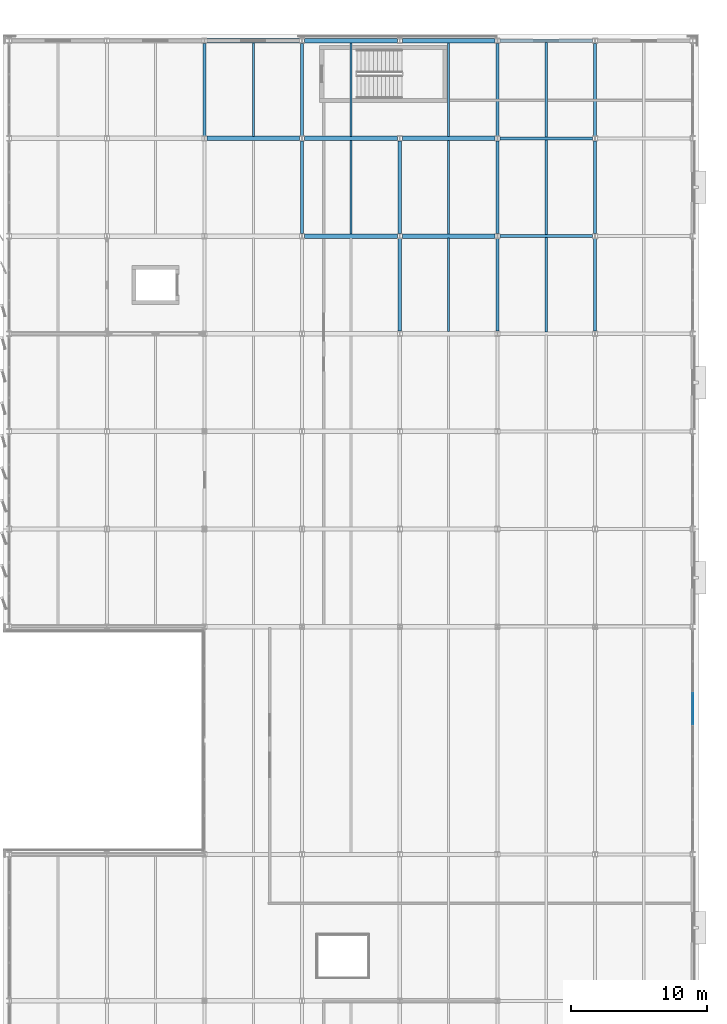
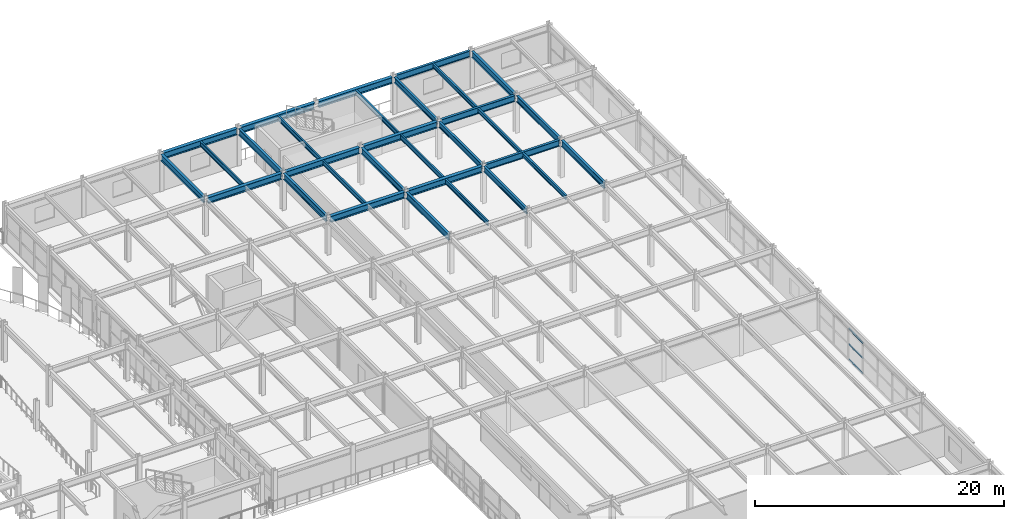
# One storey, part 47 of 93: 31 beams, 3 members, 1 element without a shape of its own.
"""IFC4 building model written with IfcOpenShell, lengths in metres."""

import ifcopenshell
import ifcopenshell.guid

model = None  # the IFC model being written
_history = None  # IfcOwnerHistory: only IFC2X3 demands one
_inside = {}  # id of a spatial element -> (the spatial element, [elements in it])
_under = {}  # id of a project, library or spatial element -> (it, [spatial elements below it])
_declared = {}  # id of a project -> (the project, [libraries it declares])
_typed = {}  # id of a type object -> (the type object, [elements of that type])
_made_of = {}  # id of a material, layer set ... -> (it, [elements and type objects made of it])


def new_model(schema):
    """Start an empty IFC model of exactly this schema.

    Asked for "IFC4X3", IfcOpenShell would pick the latest addendum, in which some entities
    have other attributes; the version numbers below select the first issue.
    IFC2X3 requires an IfcOwnerHistory on every rooted entity: one is made here for all.
    """
    global model, _history
    if schema == "IFC4X3":
        model = ifcopenshell.file(schema_version=(4, 3, 0, 0))
    else:
        model = ifcopenshell.file(schema=schema)
    _inside.clear()
    _under.clear()
    _declared.clear()
    _typed.clear()
    _made_of.clear()
    _history = None
    if model.schema == "IFC2X3":
        org = make("IfcOrganization", Name="unknown")
        user = make(
            "IfcPersonAndOrganization",
            ThePerson=make("IfcPerson", FamilyName="unknown"),
            TheOrganization=org,
        )
        app = make(
            "IfcApplication",
            ApplicationDeveloper=org,
            Version="unknown",
            ApplicationFullName="unknown",
            ApplicationIdentifier="unknown",
        )
        _history = make(
            "IfcOwnerHistory",
            OwningUser=user,
            OwningApplication=app,
            ChangeAction="ADDED",
            CreationDate=0,
        )
    return model


def make(cls, **values):
    """One entity of the class cls with the attributes given. An attribute that is None is left unset."""
    return model.create_entity(
        cls, **{name: value for name, value in values.items() if value is not None}
    )


def rooted(cls, **values):
    """An entity with a GlobalId (a new one), such as an element, a storey or a relation."""
    return make(cls, GlobalId=ifcopenshell.guid.new(), OwnerHistory=_history, **values)


def si_unit(unit_type, name, prefix=None):
    """IfcSIUnit, for example si_unit("LENGTHUNIT", "METRE", prefix="MILLI")."""
    return make("IfcSIUnit", UnitType=unit_type, Prefix=prefix, Name=name)


def assignment(units):
    """IfcUnitAssignment: the units of a project."""
    return None if units is None else make("IfcUnitAssignment", Units=units)


def point(xyz):
    """IfcCartesianPoint."""
    return None if xyz is None else make("IfcCartesianPoint", Coordinates=xyz)


def direction(xyz):
    """IfcDirection."""
    return None if xyz is None else make("IfcDirection", DirectionRatios=xyz)


def frame(location, z_axis=None, x_axis=None):
    """IfcAxis2Placement3D, a coordinate frame: its origin and axes. An axis left out is left unset."""
    return make(
        "IfcAxis2Placement3D",
        Location=point(location),
        Axis=direction(z_axis),
        RefDirection=direction(x_axis),
    )


def frame_2d(location, x_axis=None):
    """IfcAxis2Placement2D, a coordinate frame in the plane: its origin and x axis."""
    return make(
        "IfcAxis2Placement2D", Location=point(location), RefDirection=direction(x_axis)
    )


def origin():
    """The frame at (0, 0, 0) with its axes left unset."""
    return frame((0.0, 0.0, 0.0))


def origin_2d():
    """The frame at (0, 0) in the plane with its x axis left unset."""
    return frame_2d((0.0, 0.0))


def place(relative_to, where):
    """IfcLocalPlacement: puts the frame where relative to a parent placement (None: the world)."""
    return make(
        "IfcLocalPlacement", PlacementRelTo=relative_to, RelativePlacement=where
    )


def context(
    kind, dimensions, precision=None, world=None, true_north=None, identifier=None
):
    """IfcGeometricRepresentationContext, for example the 3D "Model" context."""
    return make(
        "IfcGeometricRepresentationContext",
        ContextIdentifier=identifier,
        ContextType=kind,
        CoordinateSpaceDimension=dimensions,
        Precision=precision,
        WorldCoordinateSystem=world,
        TrueNorth=true_north,
    )


def subcontext(parent, identifier, kind, view, scale=None):
    """IfcGeometricRepresentationSubContext, for example "Body" below "Model"."""
    return make(
        "IfcGeometricRepresentationSubContext",
        ContextIdentifier=identifier,
        ContextType=kind,
        ParentContext=parent,
        TargetScale=scale,
        TargetView=view,
    )


def project(units=None, contexts=None):
    """IfcProject with its units and contexts."""
    return rooted(
        "IfcProject",
        Name="project",
        RepresentationContexts=contexts,
        UnitsInContext=assignment(units),
    )


def spatial(cls, under=None, at=None, **own):
    """A site, building, storey or space (cls), placed at a placement, below another one or the project."""
    s = rooted(cls, ObjectPlacement=at, **own)
    if under is not None:
        _under.setdefault(under.id(), (under, []))[1].append(s)
    return s


def profile(cls, at=None, kind="AREA", **sizes):
    """A parametric profile (cls). Its sizes go by their IFC names, for example OverallWidth=200.0."""
    return make(cls, ProfileType=kind, Position=at, **sizes)


def rectangle(**sizes):
    """IfcRectangleProfileDef."""
    return profile("IfcRectangleProfileDef", **sizes)


def i_section(**sizes):
    """IfcIShapeProfileDef."""
    return profile("IfcIShapeProfileDef", **sizes)


def extrude(swept, where, along, depth):
    """IfcExtrudedAreaSolid: the profile swept, set in the frame where, extruded along a direction by depth."""
    return make(
        "IfcExtrudedAreaSolid",
        SweptArea=swept,
        Position=where,
        ExtrudedDirection=direction(along),
        Depth=depth,
    )


def shape(context_of_items, identifier, shape_type, items):
    """IfcShapeRepresentation: the items that make up one representation, for example the "Body"."""
    return make(
        "IfcShapeRepresentation",
        ContextOfItems=context_of_items,
        RepresentationIdentifier=identifier,
        RepresentationType=shape_type,
        Items=items,
    )


def material(Name=None, Category=None):
    """IfcMaterial."""
    return make("IfcMaterial", Name=Name, Category=Category)


def material_profile(
    of_material, cross_section, Name=None, Category=None, Priority=None
):
    """IfcMaterialProfile: a cross section and its material."""
    return make(
        "IfcMaterialProfile",
        Name=Name,
        Material=of_material,
        Profile=cross_section,
        Priority=Priority,
        Category=Category,
    )


def profile_set(profiles, Name=None, composite=None):
    """IfcMaterialProfileSet."""
    return make(
        "IfcMaterialProfileSet",
        Name=Name,
        MaterialProfiles=profiles,
        CompositeProfile=composite,
    )


def made_of(thing, what):
    """Note that an element or type object is made of a material, layer set ...; save() writes the relation."""
    if what is not None:
        _made_of.setdefault(what.id(), (what, []))[1].append(thing)
    return thing


def type_object(cls, material=None, **own):
    """A type object (cls), such as IfcWallType, which elements share."""
    return made_of(rooted(cls, **own), material)


def element(
    cls,
    number,
    at=None,
    inside=None,
    cuts=None,
    type_object=None,
    material=None,
    context=None,
    identifier="Body",
    shape_type=None,
    held_by="IfcProductDefinitionShape",
    body=None,
    shapes=None,
    **own,
):
    """One element of the class cls, such as IfcWall. Its Tag is "e" and its number.

    at: its placement. inside: the storey or other place that contains it. cuts: it is an
    opening in that element (IfcRelVoidsElement). A single representation is given by context,
    identifier, shape_type and body (its items); several are given by shapes. held_by: the class
    of the entity that holds the representations. save() writes the other relations.
    """
    e = rooted(cls, Tag="e%d" % number, ObjectPlacement=at, **own)
    if body is not None:
        shapes = [shape(context, identifier, shape_type, body)]
    if shapes is not None:
        e.Representation = make(held_by, Representations=shapes)
    if inside is not None:
        _inside.setdefault(inside.id(), (inside, []))[1].append(e)
    if cuts is not None:
        rooted(
            "IfcRelVoidsElement", RelatingBuildingElement=cuts, RelatedOpeningElement=e
        )
    if type_object is not None:
        _typed.setdefault(type_object.id(), (type_object, []))[1].append(e)
    return made_of(e, material)


def aggregate(whole, parts):
    """IfcRelAggregates: a whole, such as a stair, and the parts it consists of."""
    return rooted("IfcRelAggregates", RelatingObject=whole, RelatedObjects=parts)


def save(model, path):
    """Write the relations noted so far, then the file.

    IfcRelAggregates (storeys below a building ...), IfcRelContainedInSpatialStructure (elements
    in a storey), IfcRelDefinesByType, IfcRelAssociatesMaterial and IfcRelDeclares: one each for
    every whole, place, type object, material and project.
    """
    for whole, parts in _under.values():
        aggregate(whole, parts)
    for where, things in _inside.values():
        rooted(
            "IfcRelContainedInSpatialStructure",
            RelatedElements=things,
            RelatingStructure=where,
        )
    for kind, things in _typed.values():
        rooted("IfcRelDefinesByType", RelatedObjects=things, RelatingType=kind)
    for what, things in _made_of.values():
        rooted("IfcRelAssociatesMaterial", RelatedObjects=things, RelatingMaterial=what)
    for by, libraries in _declared.values():
        rooted("IfcRelDeclares", RelatingContext=by, RelatedDefinitions=libraries)
    model.write(path)


model = new_model("IFC4")

# Units and contexts
model_context = context("Model", 3, precision=1e-05, world=origin(), true_north=direction((0.0, 1.0)))
body_context = subcontext(model_context, "Body", "Model", "MODEL_VIEW")
ifc_project = project(units=[si_unit("LENGTHUNIT", "METRE"), si_unit("AREAUNIT", "SQUARE_METRE"), si_unit("VOLUMEUNIT", "CUBIC_METRE"), si_unit("PLANEANGLEUNIT", "RADIAN"), si_unit("MASSUNIT", "GRAM", prefix="KILO")], contexts=[model_context])

# Site, building, storey
site_placement = place(None, origin())
site = spatial("IfcSite", under=ifc_project, at=site_placement, CompositionType="ELEMENT")
building_placement = place(site_placement, origin())
building = spatial("IfcBuilding", under=site, at=building_placement, Name="Vaelcorin Mobility Hub", CompositionType="ELEMENT")
storey_placement = place(building_placement, frame((0.0, 0.0, 5.39990234375)))
storey = spatial("IfcBuildingStorey", under=building, at=storey_placement, Name="L01", CompositionType="ELEMENT", Elevation=5.39990234375)

# Beams
ifc_material_1 = material(Name="Steel ASTM A992 Grade 50", Category="steel")
ifc_material_profile_1 = material_profile(ifc_material_1, i_section(OverallWidth=0.177978515625, OverallDepth=0.404052734375, WebThickness=0.007568359375, FlangeThickness=0.010986328125, FilletRadius=0.012939453125, at=origin_2d()), Name="W16X36")
ifc_profile_set_1 = profile_set([ifc_material_profile_1], Name="Steel ASTM A992 Grade 50")
beam_type_1 = type_object("IfcBeamType", Name="BM-W16X36", PredefinedType="JOIST", material=ifc_profile_set_1)
for number, where, z_axis, x_axis, name in (
    (1, (193.199951171875, 98.511962890625, 3.498046875), (0.0, 1.0, 0.0), (-1.0, 0.0, 0.0), "L01 Beam V5E-L01-J-01-12-1"),
    (2, (193.199951171875, 105.7119140625, 3.498046875), (0.0, 1.0, 0.0), (-1.0, 0.0, 0.0), "L01 Beam V5E-L01-J-01-13-1"),
):
    element("IfcBeam", number, at=place(storey_placement, frame(where, z_axis=z_axis, x_axis=x_axis)), inside=storey, type_object=beam_type_1, Name=name, PredefinedType="JOIST", context=body_context, shape_type="SweptSolid", body=[
        extrude(i_section(OverallWidth=0.177978515625, OverallDepth=0.404052734375, WebThickness=0.007568359375, FlangeThickness=0.010986328125, FilletRadius=0.012939453125, at=origin_2d()), origin(), (0.0, 0.0, 1.0), 6.97607421875),
    ])
beam_1_placement = place(storey_placement, frame((193.199951171875, 112.912109375, 3.498046875), z_axis=(0.0, 1.0, 0.0), x_axis=(-1.0, 0.0, 0.0)))
element("IfcBeam", 3, at=beam_1_placement, inside=storey, type_object=beam_type_1, Name="L01 Beam V5E-L01-J-01-14-1", PredefinedType="JOIST", context=body_context, shape_type="SweptSolid", body=[
    extrude(i_section(OverallWidth=0.177978515625, OverallDepth=0.404052734375, WebThickness=0.007568359375, FlangeThickness=0.010986328125, FilletRadius=0.012939453125, at=origin_2d()), origin(), (0.0, 0.0, 1.0), 6.975830078125),
])
ifc_material_profile_2 = material_profile(ifc_material_1, i_section(OverallWidth=0.152099609375, OverallDepth=0.455078125, WebThickness=0.008056640625, FlangeThickness=0.01318359375, FilletRadius=0.012939453125, at=origin_2d()), Name="W18X40")
ifc_profile_set_2 = profile_set([ifc_material_profile_2], Name="Steel ASTM A992 Grade 50")
beam_type_2 = type_object("IfcBeamType", Name="BM-W18X40", PredefinedType="JOIST", material=ifc_profile_set_2)
beam_2_placement = place(storey_placement, frame((171.60009765625, 112.9599609375, 3.443115234375), z_axis=(0.0, 1.0, 0.0), x_axis=(-1.0, 0.0, 0.0)))
element("IfcBeam", 4, at=beam_2_placement, inside=storey, type_object=beam_type_2, Name="L01 Beam V5-L01-J-03-14-1", PredefinedType="JOIST", context=body_context, shape_type="SweptSolid", body=[
    extrude(i_section(OverallWidth=0.152099609375, OverallDepth=0.455078125, WebThickness=0.008056640625, FlangeThickness=0.01318359375, FilletRadius=0.012939453125, at=origin_2d()), origin(), (0.0, 0.0, 1.0), 6.880126953125),
])
beam_3_placement = place(storey_placement, frame((178.800048828125, 105.760009765625, 3.443115234375), z_axis=(0.0, 1.0, 0.0), x_axis=(-1.0, 0.0, 0.0)))
element("IfcBeam", 5, at=beam_3_placement, inside=storey, type_object=beam_type_2, Name="L01 Beam V5-L01-J-04-13-1", PredefinedType="JOIST", context=body_context, shape_type="SweptSolid", body=[
    extrude(i_section(OverallWidth=0.152099609375, OverallDepth=0.455078125, WebThickness=0.008056640625, FlangeThickness=0.01318359375, FilletRadius=0.012939453125, at=origin_2d()), origin(), (0.0, 0.0, 1.0), 6.8798828125),
])
beam_4_placement = place(storey_placement, frame((178.800048828125, 112.9599609375, 3.443115234375), z_axis=(0.0, 1.0, 0.0), x_axis=(-1.0, 0.0, 0.0)))
element("IfcBeam", 6, at=beam_4_placement, inside=storey, type_object=beam_type_2, Name="L01 Beam V5-L01-J-04-14-1", PredefinedType="JOIST", context=body_context, shape_type="SweptSolid", body=[
    extrude(i_section(OverallWidth=0.152099609375, OverallDepth=0.455078125, WebThickness=0.008056640625, FlangeThickness=0.01318359375, FilletRadius=0.012939453125, at=origin_2d()), origin(), (0.0, 0.0, 1.0), 6.880126953125),
])
for number, where, z_axis, x_axis, name in (
    (7, (186.0, 98.56005859375, 3.443115234375), (0.0, 1.0, 0.0), (-1.0, 0.0, 0.0), "L01 Beam V5-L01-J-05-12-1"),
    (8, (186.0, 105.760009765625, 3.443115234375), (0.0, 1.0, 0.0), (-1.0, 0.0, 0.0), "L01 Beam V5-L01-J-05-13-1"),
):
    element("IfcBeam", number, at=place(storey_placement, frame(where, z_axis=z_axis, x_axis=x_axis)), inside=storey, type_object=beam_type_2, Name=name, PredefinedType="JOIST", context=body_context, shape_type="SweptSolid", body=[
        extrude(i_section(OverallWidth=0.152099609375, OverallDepth=0.455078125, WebThickness=0.008056640625, FlangeThickness=0.01318359375, FilletRadius=0.012939453125, at=origin_2d()), origin(), (0.0, 0.0, 1.0), 6.8798828125),
    ])
beam_5_placement = place(storey_placement, frame((186.0, 112.9599609375, 3.443115234375), z_axis=(0.0, 1.0, 0.0), x_axis=(-1.0, 0.0, 0.0)))
element("IfcBeam", 9, at=beam_5_placement, inside=storey, type_object=beam_type_2, Name="L01 Beam V5-L01-J-05-14-1", PredefinedType="JOIST", context=body_context, shape_type="SweptSolid", body=[
    extrude(i_section(OverallWidth=0.152099609375, OverallDepth=0.455078125, WebThickness=0.008056640625, FlangeThickness=0.01318359375, FilletRadius=0.012939453125, at=origin_2d()), origin(), (0.0, 0.0, 1.0), 6.880126953125),
])
ifc_material_profile_3 = material_profile(ifc_material_1, i_section(OverallWidth=0.2099609375, OverallDepth=0.535888671875, WebThickness=0.010986328125, FlangeThickness=0.017333984375, FilletRadius=0.013916015625, at=origin_2d()), Name="W21X68")
ifc_profile_set_3 = profile_set([ifc_material_profile_3], Name="Steel ASTM A992 Grade 50")
beam_type_3 = type_object("IfcBeamType", Name="BM-W21X68", PredefinedType="SPANDREL", material=ifc_profile_set_3)
for number, where, z_axis, x_axis, name in (
    (10, (189.60009765625, 98.583984375, 3.402099609375), (0.0, 1.0, 0.0), (-1.0, 0.0, 0.0), "L01 Beam V5-L01-GY-06-12"),
    (11, (189.60009765625, 105.783935546875, 3.402099609375), (0.0, 1.0, 0.0), (-1.0, 0.0, 0.0), "L01 Beam V5-L01-GY-06-13"),
    (12, (189.60009765625, 112.98388671875, 3.402099609375), (0.0, 1.0, 0.0), (-1.0, 0.0, 0.0), "L01 Beam V5-L01-GY-06-14"),
):
    element("IfcBeam", number, at=place(storey_placement, frame(where, z_axis=z_axis, x_axis=x_axis)), inside=storey, type_object=beam_type_3, Name=name, PredefinedType="SPANDREL", context=body_context, shape_type="SweptSolid", body=[
        extrude(i_section(OverallWidth=0.2099609375, OverallDepth=0.535888671875, WebThickness=0.010986328125, FlangeThickness=0.017333984375, FilletRadius=0.013916015625, at=origin_2d()), origin(), (0.0, 0.0, 1.0), 6.83203125),
    ])
ifc_material_profile_4 = material_profile(ifc_material_1, i_section(OverallWidth=0.324951171875, OverallDepth=0.612060546875, WebThickness=0.0126953125, FlangeThickness=0.01904296875, FilletRadius=0.014892578125, at=origin_2d()), Name="W24X104")
ifc_profile_set_4 = profile_set([ifc_material_profile_4], Name="Steel ASTM A992 Grade 50")
beam_type_4 = type_object("IfcBeamType", Name="BM-W24X104", PredefinedType="BEAM", material=ifc_profile_set_4)
beam_6_placement = place(storey_placement, frame((175.384033203125, 105.60009765625, 3.364013671875), z_axis=(1.0, 0.0, 0.0), x_axis=(0.0, 1.0, 0.0)))
element("IfcBeam", 13, at=beam_6_placement, inside=storey, type_object=beam_type_4, Name="L01 Beam V5-L01-GX-13-04", PredefinedType="BEAM", context=body_context, shape_type="SweptSolid", body=[
    extrude(i_section(OverallWidth=0.324951171875, OverallDepth=0.612060546875, WebThickness=0.0126953125, FlangeThickness=0.01904296875, FilletRadius=0.014892578125, at=origin_2d()), origin(), (0.0, 0.0, 1.0), 6.83203125),
])
beam_7_placement = place(storey_placement, frame((182.5849609375, 105.60009765625, 3.364013671875), z_axis=(1.0, 0.0, 0.0), x_axis=(0.0, 1.0, 0.0)))
element("IfcBeam", 14, at=beam_7_placement, inside=storey, type_object=beam_type_4, Name="L01 Beam V5-L01-GX-13-05", PredefinedType="BEAM", context=body_context, shape_type="SweptSolid", body=[
    extrude(i_section(OverallWidth=0.324951171875, OverallDepth=0.612060546875, WebThickness=0.0126953125, FlangeThickness=0.01904296875, FilletRadius=0.014892578125, at=origin_2d()), origin(), (0.0, 0.0, 1.0), 6.830078125),
])
beam_8_placement = place(storey_placement, frame((168.18408203125, 112.800048828125, 3.364013671875), z_axis=(1.0, 0.0, 0.0), x_axis=(0.0, 1.0, 0.0)))
element("IfcBeam", 15, at=beam_8_placement, inside=storey, type_object=beam_type_4, Name="L01 Beam V5-L01-GX-14-03", PredefinedType="BEAM", context=body_context, shape_type="SweptSolid", body=[
    extrude(i_section(OverallWidth=0.324951171875, OverallDepth=0.612060546875, WebThickness=0.0126953125, FlangeThickness=0.01904296875, FilletRadius=0.014892578125, at=origin_2d()), origin(), (0.0, 0.0, 1.0), 6.830810546875),
])
beam_9_placement = place(storey_placement, frame((175.384033203125, 112.800048828125, 3.364013671875), z_axis=(1.0, 0.0, 0.0), x_axis=(0.0, 1.0, 0.0)))
element("IfcBeam", 16, at=beam_9_placement, inside=storey, type_object=beam_type_4, Name="L01 Beam V5-L01-GX-14-04", PredefinedType="BEAM", context=body_context, shape_type="SweptSolid", body=[
    extrude(i_section(OverallWidth=0.324951171875, OverallDepth=0.612060546875, WebThickness=0.0126953125, FlangeThickness=0.01904296875, FilletRadius=0.014892578125, at=origin_2d()), origin(), (0.0, 0.0, 1.0), 6.83203125),
])
beam_10_placement = place(storey_placement, frame((182.5849609375, 112.800048828125, 3.364013671875), z_axis=(1.0, 0.0, 0.0), x_axis=(0.0, 1.0, 0.0)))
element("IfcBeam", 17, at=beam_10_placement, inside=storey, type_object=beam_type_4, Name="L01 Beam V5-L01-GX-14-05", PredefinedType="BEAM", context=body_context, shape_type="SweptSolid", body=[
    extrude(i_section(OverallWidth=0.324951171875, OverallDepth=0.612060546875, WebThickness=0.0126953125, FlangeThickness=0.01904296875, FilletRadius=0.014892578125, at=origin_2d()), origin(), (0.0, 0.0, 1.0), 6.830078125),
])
beam_11_placement = place(storey_placement, frame((168.18408203125, 120.0, 3.364013671875), z_axis=(1.0, 0.0, 0.0), x_axis=(0.0, 1.0, 0.0)))
element("IfcBeam", 18, at=beam_11_placement, inside=storey, type_object=beam_type_4, Name="L01 Beam V5-L01-GX-15-03", PredefinedType="BEAM", context=body_context, shape_type="SweptSolid", body=[
    extrude(i_section(OverallWidth=0.324951171875, OverallDepth=0.612060546875, WebThickness=0.0126953125, FlangeThickness=0.01904296875, FilletRadius=0.014892578125, at=origin_2d()), origin(), (0.0, 0.0, 1.0), 6.830810546875),
])
beam_12_placement = place(storey_placement, frame((175.384033203125, 120.0, 3.364013671875), z_axis=(1.0, 0.0, 0.0), x_axis=(0.0, 1.0, 0.0)))
element("IfcBeam", 19, at=beam_12_placement, inside=storey, type_object=beam_type_4, Name="L01 Beam V5-L01-GX-15-04", PredefinedType="BEAM", context=body_context, shape_type="SweptSolid", body=[
    extrude(i_section(OverallWidth=0.324951171875, OverallDepth=0.612060546875, WebThickness=0.0126953125, FlangeThickness=0.01904296875, FilletRadius=0.014892578125, at=origin_2d()), origin(), (0.0, 0.0, 1.0), 6.83203125),
])
beam_13_placement = place(storey_placement, frame((182.5849609375, 120.0, 3.364013671875), z_axis=(1.0, 0.0, 0.0), x_axis=(0.0, 1.0, 0.0)))
element("IfcBeam", 20, at=beam_13_placement, inside=storey, type_object=beam_type_4, Name="L01 Beam V5-L01-GX-15-05", PredefinedType="BEAM", context=body_context, shape_type="SweptSolid", body=[
    extrude(i_section(OverallWidth=0.324951171875, OverallDepth=0.612060546875, WebThickness=0.0126953125, FlangeThickness=0.01904296875, FilletRadius=0.014892578125, at=origin_2d()), origin(), (0.0, 0.0, 1.0), 6.830078125),
])
ifc_material_profile_5 = material_profile(ifc_material_1, i_section(OverallWidth=0.22802734375, OverallDepth=0.60205078125, WebThickness=0.010498046875, FlangeThickness=0.014892578125, FilletRadius=0.014892578125, at=origin_2d()), Name="W24X68")
ifc_profile_set_5 = profile_set([ifc_material_profile_5], Name="Steel ASTM A992 Grade 50")
beam_type_5 = type_object("IfcBeamType", Name="BM-W24X68", PredefinedType="SPANDREL", material=ifc_profile_set_5)
for number, where, z_axis, x_axis, name in (
    (21, (189.783935546875, 120.0, 3.399169921875), (1.0, 0.0, 0.0), (0.0, 1.0, 0.0), "L01 Beam V5E-L01-GX-15-01"),
    (22, (196.800048828125, 98.583984375, 3.399169921875), (0.0, 1.0, 0.0), (-1.0, 0.0, 0.0), "L01 Beam V5E-L01-GY-02-12"),
    (23, (196.800048828125, 105.783935546875, 3.399169921875), (0.0, 1.0, 0.0), (-1.0, 0.0, 0.0), "L01 Beam V5E-L01-GY-02-13"),
    (24, (196.800048828125, 112.98388671875, 3.399169921875), (0.0, 1.0, 0.0), (-1.0, 0.0, 0.0), "L01 Beam V5E-L01-GY-02-14"),
):
    element("IfcBeam", number, at=place(storey_placement, frame(where, z_axis=z_axis, x_axis=x_axis)), inside=storey, type_object=beam_type_5, Name=name, PredefinedType="SPANDREL", context=body_context, shape_type="SweptSolid", body=[
        extrude(i_section(OverallWidth=0.22802734375, OverallDepth=0.60205078125, WebThickness=0.010498046875, FlangeThickness=0.014892578125, FilletRadius=0.014892578125, at=origin_2d()), origin(), (0.0, 0.0, 1.0), 6.83203125),
    ])
ifc_material_profile_6 = material_profile(ifc_material_1, i_section(OverallWidth=0.22900390625, OverallDepth=0.612060546875, WebThickness=0.011962890625, FlangeThickness=0.01953125, FilletRadius=0.014892578125, at=origin_2d()), Name="W24X84")
ifc_profile_set_6 = profile_set([ifc_material_profile_6], Name="Steel ASTM A992 Grade 50")
beam_type_6 = type_object("IfcBeamType", Name="BM-W24X84", PredefinedType="BEAM", material=ifc_profile_set_6)
for number, where, z_axis, x_axis, name in (
    (25, (168.0, 112.98388671875, 3.364013671875), (0.0, 1.0, 0.0), (-1.0, 0.0, 0.0), "L01 Beam V5-L01-GY-03-14"),
    (26, (175.199951171875, 105.783935546875, 3.364013671875), (0.0, 1.0, 0.0), (-1.0, 0.0, 0.0), "L01 Beam V5-L01-GY-04-13"),
    (27, (175.199951171875, 112.98388671875, 3.364013671875), (0.0, 1.0, 0.0), (-1.0, 0.0, 0.0), "L01 Beam V5-L01-GY-04-14"),
    (28, (182.39990234375, 98.583984375, 3.364013671875), (0.0, 1.0, 0.0), (-1.0, 0.0, 0.0), "L01 Beam V5-L01-GY-05-12"),
    (29, (182.39990234375, 105.783935546875, 3.364013671875), (0.0, 1.0, 0.0), (-1.0, 0.0, 0.0), "L01 Beam V5-L01-GY-05-13"),
    (30, (189.783935546875, 105.60009765625, 3.39404296875), (1.0, 0.0, 0.0), (0.0, 1.0, 0.0), "L01 Beam V5E-L01-GX-13-01"),
    (31, (189.783935546875, 112.800048828125, 3.39404296875), (1.0, 0.0, 0.0), (0.0, 1.0, 0.0), "L01 Beam V5E-L01-GX-14-01"),
):
    element("IfcBeam", number, at=place(storey_placement, frame(where, z_axis=z_axis, x_axis=x_axis)), inside=storey, type_object=beam_type_6, Name=name, PredefinedType="BEAM", context=body_context, shape_type="SweptSolid", body=[
        extrude(i_section(OverallWidth=0.22900390625, OverallDepth=0.612060546875, WebThickness=0.011962890625, FlangeThickness=0.01953125, FilletRadius=0.014892578125, at=origin_2d()), origin(), (0.0, 0.0, 1.0), 6.83203125),
    ])

# Curtain wall, members
ifc_material_2 = material(Name="Anodised aluminium 6063-T6", Category="aluminium")
curtain_wall_type = type_object("IfcCurtainWallType", Name="CW-MOB-A", PredefinedType="NOTDEFINED", material=ifc_material_2)
curtain_wall_placement = place(storey_placement, origin())
curtain_wall = element("IfcCurtainWall", 32, at=curtain_wall_placement, inside=storey, type_object=curtain_wall_type, Name="L01 Curtain Wall CW-V5-L01-E-08", PredefinedType="NOTDEFINED")
ifc_material_profile_7 = material_profile(ifc_material_2, rectangle(XDim=0.06005859375, YDim=0.1201171875, at=origin_2d()), Name="ALU-T60X120")
ifc_profile_set_7 = profile_set([ifc_material_profile_7], Name="Anodised aluminium 6063-T6")
member_type = type_object("IfcMemberType", Name="CW-TRAN-140", PredefinedType="USERDEFINED", material=ifc_profile_set_7)
member_1_placement = place(storey_placement, frame((204.0, 71.875732421875, 0.030029296875), z_axis=(0.0, -1.0, 0.0), x_axis=(1.0, 0.0, 0.0)))
member_1 = element("IfcMember", 33, at=member_1_placement, type_object=member_type, Name="CW7 transom 3.1", ObjectType="TRANSOM", PredefinedType="USERDEFINED", context=body_context, shape_type="SweptSolid", body=[
    extrude(rectangle(XDim=0.06005859375, YDim=0.1201171875, at=origin_2d()), origin(), (0.0, 0.0, 1.0), 2.277099609375),
])
member_2_placement = place(storey_placement, frame((204.0, 71.875732421875, 1.522216796875), z_axis=(0.0, -1.0, 0.0), x_axis=(1.0, 0.0, 0.0)))
member_2 = element("IfcMember", 34, at=member_2_placement, type_object=member_type, Name="CW7 transom 3.2", ObjectType="TRANSOM", PredefinedType="USERDEFINED", context=body_context, shape_type="SweptSolid", body=[
    extrude(rectangle(XDim=0.06005859375, YDim=0.1201171875, at=origin_2d()), origin(), (0.0, 0.0, 1.0), 2.277099609375),
])
member_3_placement = place(storey_placement, frame((204.0, 71.875732421875, 3.01318359375), z_axis=(0.0, -1.0, 0.0), x_axis=(1.0, 0.0, 0.0)))
member_3 = element("IfcMember", 35, at=member_3_placement, type_object=member_type, Name="CW7 transom 3.3", ObjectType="TRANSOM", PredefinedType="USERDEFINED", context=body_context, shape_type="SweptSolid", body=[
    extrude(rectangle(XDim=0.06005859375, YDim=0.1201171875, at=origin_2d()), origin(), (0.0, 0.0, 1.0), 2.277099609375),
])
aggregate(curtain_wall, [member_1, member_2, member_3])

save(model, "model.ifc")
